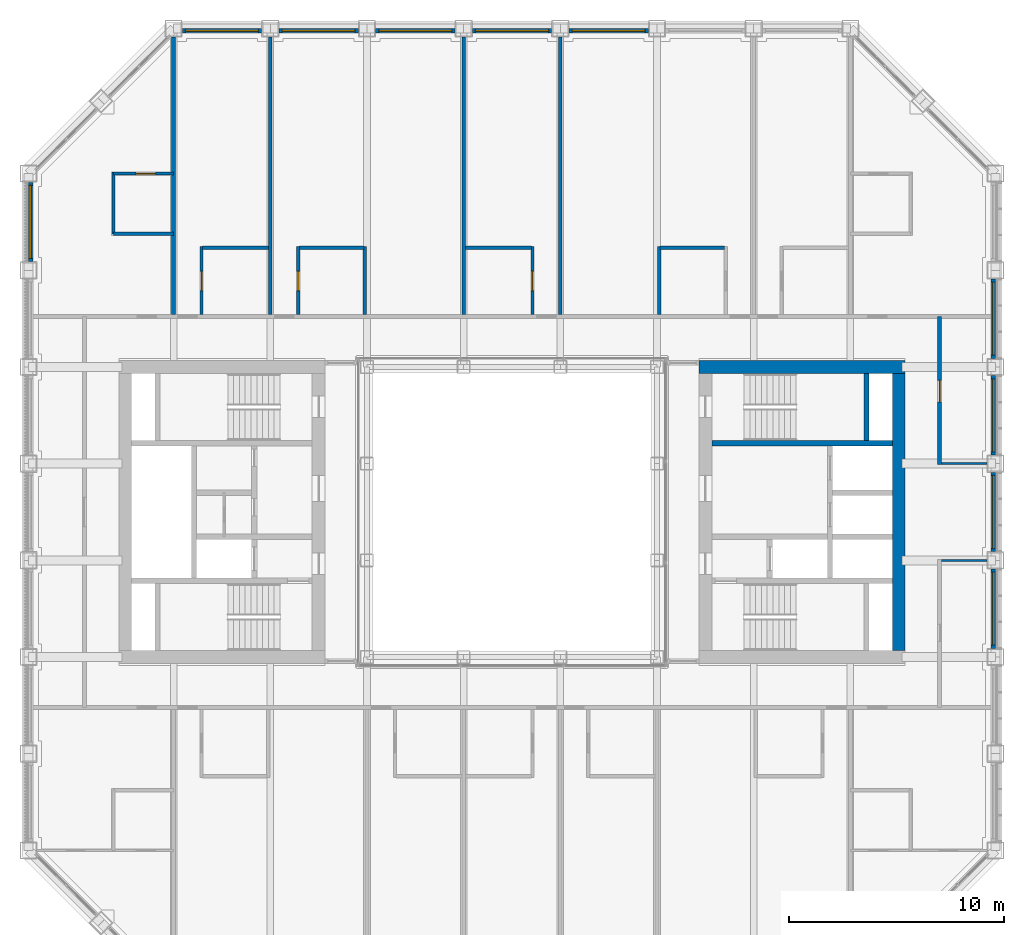
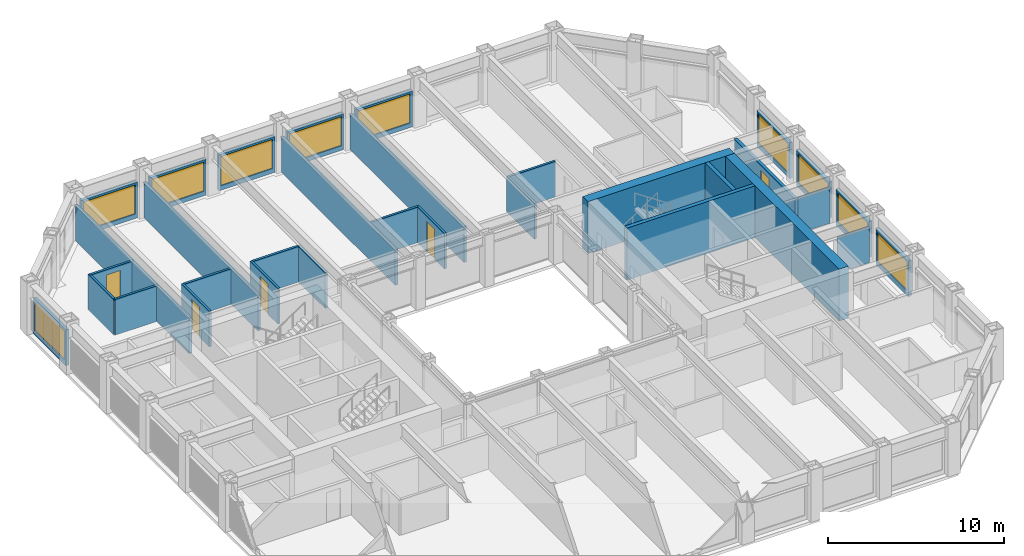
# One storey, part 13 of 17: 33 walls, 10 windows, 5 doors, 15 openings.
"""IFC4 building model written with IfcOpenShell, lengths in metres."""

from ifc_helpers import new_model, si_unit, direction, frame, frame_2d, origin, place, context, subcontext, project, spatial, rectangle, extrude, material, layer, layer_set, type_object, element, fill, save


model = new_model("IFC4")

# Units and contexts
model_context = context("Model", 3, precision=1e-05, world=origin(), true_north=direction((0.0, 1.0)))
body_context = subcontext(model_context, "Body", "Model", "MODEL_VIEW")
ifc_project = project(units=[si_unit("LENGTHUNIT", "METRE"), si_unit("AREAUNIT", "SQUARE_METRE"), si_unit("VOLUMEUNIT", "CUBIC_METRE"), si_unit("PLANEANGLEUNIT", "RADIAN"), si_unit("MASSUNIT", "GRAM", prefix="KILO")], contexts=[model_context])

# Site, building, storey
site_placement = place(None, origin())
site = spatial("IfcSite", under=ifc_project, at=site_placement, CompositionType="ELEMENT")
building_placement = place(site_placement, origin())
building = spatial("IfcBuilding", under=site, at=building_placement, Name="Msasa Ring Tower", CompositionType="ELEMENT")
storey_placement = place(building_placement, frame((0.0, 0.0, 154.39990234375)))
storey = spatial("IfcBuildingStorey", under=building, at=storey_placement, Name="L40", CompositionType="ELEMENT", Elevation=154.39990234375)

# Walls
ifc_material_1 = material(Name="Concrete C60/75", Category="concrete")
ifc_layer_1 = layer(ifc_material_1, 0.60009765625)
ifc_layer_set_1 = layer_set([ifc_layer_1], Name="CW2 CORE WALL 600")
wall_type_1 = type_object("IfcWallType", Name="CW2 CORE WALL 600", PredefinedType="SHEAR", material=ifc_layer_set_1)
wall_1_placement = place(storey_placement, frame((8.699951171875, 6.75, 0.0), z_axis=(0.0, 0.0, 1.0), x_axis=(1.0, 0.0, 0.0)))
element("IfcWall", 1, at=wall_1_placement, inside=storey, type_object=wall_type_1, Name="E core wall N L40", PredefinedType="SHEAR", context=body_context, shape_type="SweptSolid", body=[
    extrude(rectangle(XDim=9.60009765625, YDim=0.60009765625, at=frame_2d((4.800048828125, 0.0))), origin(), (0.0, 0.0, 1.0), 3.60009765625),
])
wall_2_placement = place(storey_placement, frame((18.0, -6.449951171875, 0.0), z_axis=(0.0, 0.0, 1.0), x_axis=(0.0, 1.0, 0.0)))
element("IfcWall", 2, at=wall_2_placement, inside=storey, type_object=wall_type_1, Name="E core wall E L40", PredefinedType="SHEAR", context=body_context, shape_type="SweptSolid", body=[
    extrude(rectangle(XDim=12.89990234375, YDim=0.60009765625, at=frame_2d((6.449951171875, 0.0))), origin(), (0.0, 0.0, 1.0), 3.60009765625),
])
ifc_material_2 = material(Name="Concrete C60/75", Category="concrete")
ifc_layer_2 = layer(ifc_material_2, 0.25)
ifc_layer_set_2 = layer_set([ifc_layer_2], Name="CW4 CORE INNER WALL 250")
wall_type_2 = type_object("IfcWallType", Name="CW4 CORE INNER WALL 250", PredefinedType="SHEAR", material=ifc_layer_set_2)
wall_3_placement = place(storey_placement, frame((9.300048828125, 3.199951171875, 0.0), z_axis=(0.0, 0.0, 1.0), x_axis=(1.0, 0.0, 0.0)))
element("IfcWall", 3, at=wall_3_placement, inside=storey, type_object=wall_type_2, Name="E core wall STAIRB L40", PredefinedType="SHEAR", context=body_context, shape_type="SweptSolid", body=[
    extrude(rectangle(XDim=8.39990234375, YDim=0.25, at=frame_2d((4.199951171875, 0.0))), origin(), (0.0, 0.0, 1.0), 3.60009765625),
])
wall_4_placement = place(storey_placement, frame((16.5, 3.324951171875, 0.0), z_axis=(0.0, 0.0, 1.0), x_axis=(0.0, 1.0, 0.0)))
element("IfcWall", 4, at=wall_4_placement, inside=storey, type_object=wall_type_2, Name="E core wall RISERB L40", PredefinedType="SHEAR", context=body_context, shape_type="SweptSolid", body=[
    extrude(rectangle(XDim=3.125, YDim=0.25, at=frame_2d((1.5625, 0.0))), origin(), (0.0, 0.0, 1.0), 3.60009765625),
])

# Wall, opening, window
ifc_material_3 = material(Name="Terracotta rainscreen on blockwork", Category="masonry")
ifc_layer_3 = layer(ifc_material_3, 0.199951171875)
ifc_layer_set_3 = layer_set([ifc_layer_3], Name="FW1 TERRACOTTA-LINED INFILL BAY WALL 200")
wall_type_3 = type_object("IfcWallType", Name="FW1 TERRACOTTA-LINED INFILL BAY WALL 200", PredefinedType="SOLIDWALL", material=ifc_layer_set_3)
wall_5_placement = place(storey_placement, frame((22.39990234375, -6.344970703125, 0.0), z_axis=(0.0, 0.0, 1.0), x_axis=(0.0, 1.0, 0.0)))
wall_5 = element("IfcWall", 5, at=wall_5_placement, inside=storey, type_object=wall_type_3, Name="Infill bay wall E L40 11", PredefinedType="SOLIDWALL", context=body_context, shape_type="SweptSolid", body=[
    extrude(rectangle(XDim=3.68994140625, YDim=0.199951171875, at=frame_2d((1.844970703125, 0.0))), origin(), (0.0, 0.0, 1.0), 2.47900390625),
])
opening_1_placement = place(wall_5_placement, frame((0.14501953125, 0.0, 0.300048828125)))
opening_1 = element("IfcOpeningElement", 6, at=opening_1_placement, cuts=wall_5, Name="Opening WN2", PredefinedType="OPENING", context=body_context, shape_type="SweptSolid", body=[
    extrude(rectangle(XDim=3.39990234375, YDim=2.029052734375, at=frame_2d((1.699951171875, 1.0146484375))), frame((0.0, 0.10986328125, 0.0), z_axis=(0.0, -1.0, 0.0), x_axis=(1.0, 0.0, 0.0)), (0.0, 0.0, 1.0), 0.219970703125),
])
ifc_material_4 = material(Name="Aluminium frame with clear glass", Category="aluminium")
window_type = type_object("IfcWindowType", Name="WN2 GUEST ROOM WINDOW 3400x2029", PartitioningType="SINGLE_PANEL", PredefinedType="WINDOW", material=ifc_material_4)
window_1_placement = place(opening_1_placement, origin())
window_1 = element("IfcWindow", 7, at=window_1_placement, inside=storey, type_object=window_type, Name="Window E L40 11", OverallHeight=2.029052734375, OverallWidth=3.39990234375, PartitioningType="SINGLE_PANEL", PredefinedType="WINDOW", context=body_context, shape_type="SweptSolid", body=[
    extrude(rectangle(XDim=3.39990234375, YDim=2.029052734375, at=frame_2d((1.699951171875, 1.0146484375))), frame((0.0, 0.030029296875, 0.0), z_axis=(0.0, -1.0, 0.0), x_axis=(1.0, 0.0, 0.0)), (0.0, 0.0, 1.0), 0.06005859375),
])
fill(opening_1, window_1)

wall_6_placement = place(storey_placement, frame((22.39990234375, -1.844970703125, 0.0), z_axis=(0.0, 0.0, 1.0), x_axis=(0.0, 1.0, 0.0)))
wall_6 = element("IfcWall", 8, at=wall_6_placement, inside=storey, type_object=wall_type_3, Name="Infill bay wall E L40 12", PredefinedType="SOLIDWALL", context=body_context, shape_type="SweptSolid", body=[
    extrude(rectangle(XDim=3.68994140625, YDim=0.199951171875, at=frame_2d((1.844970703125, 0.0))), origin(), (0.0, 0.0, 1.0), 2.47900390625),
])
opening_2_placement = place(wall_6_placement, frame((0.14501953125, 0.0, 0.300048828125)))
opening_2 = element("IfcOpeningElement", 9, at=opening_2_placement, cuts=wall_6, Name="Opening WN2", PredefinedType="OPENING", context=body_context, shape_type="SweptSolid", body=[
    extrude(rectangle(XDim=3.39990234375, YDim=2.029052734375, at=frame_2d((1.699951171875, 1.0146484375))), frame((0.0, 0.10986328125, 0.0), z_axis=(0.0, -1.0, 0.0), x_axis=(1.0, 0.0, 0.0)), (0.0, 0.0, 1.0), 0.219970703125),
])
window_2_placement = place(opening_2_placement, origin())
window_2 = element("IfcWindow", 10, at=window_2_placement, inside=storey, type_object=window_type, Name="Window E L40 12", OverallHeight=2.029052734375, OverallWidth=3.39990234375, PartitioningType="SINGLE_PANEL", PredefinedType="WINDOW", context=body_context, shape_type="SweptSolid", body=[
    extrude(rectangle(XDim=3.39990234375, YDim=2.029052734375, at=frame_2d((1.699951171875, 1.0146484375))), frame((0.0, 0.030029296875, 0.0), z_axis=(0.0, -1.0, 0.0), x_axis=(1.0, 0.0, 0.0)), (0.0, 0.0, 1.0), 0.06005859375),
])
fill(opening_2, window_2)

wall_7_placement = place(storey_placement, frame((22.39990234375, 2.655029296875, 0.0), z_axis=(0.0, 0.0, 1.0), x_axis=(0.0, 1.0, 0.0)))
wall_7 = element("IfcWall", 11, at=wall_7_placement, inside=storey, type_object=wall_type_3, Name="Infill bay wall E L40 13", PredefinedType="SOLIDWALL", context=body_context, shape_type="SweptSolid", body=[
    extrude(rectangle(XDim=3.68994140625, YDim=0.199951171875, at=frame_2d((1.844970703125, 0.0))), origin(), (0.0, 0.0, 1.0), 2.47900390625),
])
opening_3_placement = place(wall_7_placement, frame((0.14501953125, 0.0, 0.300048828125)))
opening_3 = element("IfcOpeningElement", 12, at=opening_3_placement, cuts=wall_7, Name="Opening WN2", PredefinedType="OPENING", context=body_context, shape_type="SweptSolid", body=[
    extrude(rectangle(XDim=3.39990234375, YDim=2.029052734375, at=frame_2d((1.699951171875, 1.0146484375))), frame((0.0, 0.10986328125, 0.0), z_axis=(0.0, -1.0, 0.0), x_axis=(1.0, 0.0, 0.0)), (0.0, 0.0, 1.0), 0.219970703125),
])
window_3_placement = place(opening_3_placement, origin())
window_3 = element("IfcWindow", 13, at=window_3_placement, inside=storey, type_object=window_type, Name="Window E L40 13", OverallHeight=2.029052734375, OverallWidth=3.39990234375, PartitioningType="SINGLE_PANEL", PredefinedType="WINDOW", context=body_context, shape_type="SweptSolid", body=[
    extrude(rectangle(XDim=3.39990234375, YDim=2.029052734375, at=frame_2d((1.699951171875, 1.0146484375))), frame((0.0, 0.030029296875, 0.0), z_axis=(0.0, -1.0, 0.0), x_axis=(1.0, 0.0, 0.0)), (0.0, 0.0, 1.0), 0.06005859375),
])
fill(opening_3, window_3)

wall_8_placement = place(storey_placement, frame((22.39990234375, 7.155029296875, 0.0), z_axis=(0.0, 0.0, 1.0), x_axis=(0.0, 1.0, 0.0)))
wall_8 = element("IfcWall", 14, at=wall_8_placement, inside=storey, type_object=wall_type_3, Name="Infill bay wall E L40 14", PredefinedType="SOLIDWALL", context=body_context, shape_type="SweptSolid", body=[
    extrude(rectangle(XDim=3.68994140625, YDim=0.199951171875, at=frame_2d((1.844970703125, 0.0))), origin(), (0.0, 0.0, 1.0), 2.47900390625),
])
opening_4_placement = place(wall_8_placement, frame((0.14501953125, 0.0, 0.300048828125)))
opening_4 = element("IfcOpeningElement", 15, at=opening_4_placement, cuts=wall_8, Name="Opening WN2", PredefinedType="OPENING", context=body_context, shape_type="SweptSolid", body=[
    extrude(rectangle(XDim=3.39990234375, YDim=2.029052734375, at=frame_2d((1.699951171875, 1.0146484375))), frame((0.0, 0.10986328125, 0.0), z_axis=(0.0, -1.0, 0.0), x_axis=(1.0, 0.0, 0.0)), (0.0, 0.0, 1.0), 0.219970703125),
])
window_4_placement = place(opening_4_placement, origin())
window_4 = element("IfcWindow", 16, at=window_4_placement, inside=storey, type_object=window_type, Name="Window E L40 14", OverallHeight=2.029052734375, OverallWidth=3.39990234375, PartitioningType="SINGLE_PANEL", PredefinedType="WINDOW", context=body_context, shape_type="SweptSolid", body=[
    extrude(rectangle(XDim=3.39990234375, YDim=2.029052734375, at=frame_2d((1.699951171875, 1.0146484375))), frame((0.0, 0.030029296875, 0.0), z_axis=(0.0, -1.0, 0.0), x_axis=(1.0, 0.0, 0.0)), (0.0, 0.0, 1.0), 0.06005859375),
])
fill(opening_4, window_4)

wall_9_placement = place(storey_placement, frame((-15.344970703125, 22.39990234375, 0.0), z_axis=(0.0, 0.0, 1.0), x_axis=(1.0, 0.0, 0.0)))
wall_9 = element("IfcWall", 17, at=wall_9_placement, inside=storey, type_object=wall_type_3, Name="Infill bay wall N L40 18", PredefinedType="SOLIDWALL", context=body_context, shape_type="SweptSolid", body=[
    extrude(rectangle(XDim=3.68994140625, YDim=0.199951171875, at=frame_2d((1.844970703125, 0.0))), origin(), (0.0, 0.0, 1.0), 2.47900390625),
])
opening_5_placement = place(wall_9_placement, frame((0.14501953125, 0.0, 0.300048828125)))
opening_5 = element("IfcOpeningElement", 18, at=opening_5_placement, cuts=wall_9, Name="Opening WN2", PredefinedType="OPENING", context=body_context, shape_type="SweptSolid", body=[
    extrude(rectangle(XDim=3.39990234375, YDim=2.029052734375, at=frame_2d((1.699951171875, 1.0146484375))), frame((0.0, 0.10986328125, 0.0), z_axis=(0.0, -1.0, 0.0), x_axis=(1.0, 0.0, 0.0)), (0.0, 0.0, 1.0), 0.219970703125),
])
window_5_placement = place(opening_5_placement, origin())
window_5 = element("IfcWindow", 19, at=window_5_placement, inside=storey, type_object=window_type, Name="Window N L40 18", OverallHeight=2.029052734375, OverallWidth=3.39990234375, PartitioningType="SINGLE_PANEL", PredefinedType="WINDOW", context=body_context, shape_type="SweptSolid", body=[
    extrude(rectangle(XDim=3.39990234375, YDim=2.029052734375, at=frame_2d((1.699951171875, 1.0146484375))), frame((0.0, 0.030029296875, 0.0), z_axis=(0.0, -1.0, 0.0), x_axis=(1.0, 0.0, 0.0)), (0.0, 0.0, 1.0), 0.06005859375),
])
fill(opening_5, window_5)

wall_10_placement = place(storey_placement, frame((-10.844970703125, 22.39990234375, 0.0), z_axis=(0.0, 0.0, 1.0), x_axis=(1.0, 0.0, 0.0)))
wall_10 = element("IfcWall", 20, at=wall_10_placement, inside=storey, type_object=wall_type_3, Name="Infill bay wall N L40 19", PredefinedType="SOLIDWALL", context=body_context, shape_type="SweptSolid", body=[
    extrude(rectangle(XDim=3.68994140625, YDim=0.199951171875, at=frame_2d((1.844970703125, 0.0))), origin(), (0.0, 0.0, 1.0), 2.47900390625),
])
opening_6_placement = place(wall_10_placement, frame((0.14501953125, 0.0, 0.300048828125)))
opening_6 = element("IfcOpeningElement", 21, at=opening_6_placement, cuts=wall_10, Name="Opening WN2", PredefinedType="OPENING", context=body_context, shape_type="SweptSolid", body=[
    extrude(rectangle(XDim=3.39990234375, YDim=2.029052734375, at=frame_2d((1.699951171875, 1.0146484375))), frame((0.0, 0.10986328125, 0.0), z_axis=(0.0, -1.0, 0.0), x_axis=(1.0, 0.0, 0.0)), (0.0, 0.0, 1.0), 0.219970703125),
])
window_6_placement = place(opening_6_placement, origin())
window_6 = element("IfcWindow", 22, at=window_6_placement, inside=storey, type_object=window_type, Name="Window N L40 19", OverallHeight=2.029052734375, OverallWidth=3.39990234375, PartitioningType="SINGLE_PANEL", PredefinedType="WINDOW", context=body_context, shape_type="SweptSolid", body=[
    extrude(rectangle(XDim=3.39990234375, YDim=2.029052734375, at=frame_2d((1.699951171875, 1.0146484375))), frame((0.0, 0.030029296875, 0.0), z_axis=(0.0, -1.0, 0.0), x_axis=(1.0, 0.0, 0.0)), (0.0, 0.0, 1.0), 0.06005859375),
])
fill(opening_6, window_6)

wall_11_placement = place(storey_placement, frame((-6.344970703125, 22.39990234375, 0.0), z_axis=(0.0, 0.0, 1.0), x_axis=(1.0, 0.0, 0.0)))
wall_11 = element("IfcWall", 23, at=wall_11_placement, inside=storey, type_object=wall_type_3, Name="Infill bay wall N L40 20", PredefinedType="SOLIDWALL", context=body_context, shape_type="SweptSolid", body=[
    extrude(rectangle(XDim=3.68994140625, YDim=0.199951171875, at=frame_2d((1.844970703125, 0.0))), origin(), (0.0, 0.0, 1.0), 2.47900390625),
])
opening_7_placement = place(wall_11_placement, frame((0.14501953125, 0.0, 0.300048828125)))
opening_7 = element("IfcOpeningElement", 24, at=opening_7_placement, cuts=wall_11, Name="Opening WN2", PredefinedType="OPENING", context=body_context, shape_type="SweptSolid", body=[
    extrude(rectangle(XDim=3.39990234375, YDim=2.029052734375, at=frame_2d((1.699951171875, 1.0146484375))), frame((0.0, 0.10986328125, 0.0), z_axis=(0.0, -1.0, 0.0), x_axis=(1.0, 0.0, 0.0)), (0.0, 0.0, 1.0), 0.219970703125),
])
window_7_placement = place(opening_7_placement, origin())
window_7 = element("IfcWindow", 25, at=window_7_placement, inside=storey, type_object=window_type, Name="Window N L40 20", OverallHeight=2.029052734375, OverallWidth=3.39990234375, PartitioningType="SINGLE_PANEL", PredefinedType="WINDOW", context=body_context, shape_type="SweptSolid", body=[
    extrude(rectangle(XDim=3.39990234375, YDim=2.029052734375, at=frame_2d((1.699951171875, 1.0146484375))), frame((0.0, 0.030029296875, 0.0), z_axis=(0.0, -1.0, 0.0), x_axis=(1.0, 0.0, 0.0)), (0.0, 0.0, 1.0), 0.06005859375),
])
fill(opening_7, window_7)

wall_12_placement = place(storey_placement, frame((-1.844970703125, 22.39990234375, 0.0), z_axis=(0.0, 0.0, 1.0), x_axis=(1.0, 0.0, 0.0)))
wall_12 = element("IfcWall", 26, at=wall_12_placement, inside=storey, type_object=wall_type_3, Name="Infill bay wall N L40 21", PredefinedType="SOLIDWALL", context=body_context, shape_type="SweptSolid", body=[
    extrude(rectangle(XDim=3.68994140625, YDim=0.199951171875, at=frame_2d((1.844970703125, 0.0))), origin(), (0.0, 0.0, 1.0), 2.47900390625),
])
opening_8_placement = place(wall_12_placement, frame((0.14501953125, 0.0, 0.300048828125)))
opening_8 = element("IfcOpeningElement", 27, at=opening_8_placement, cuts=wall_12, Name="Opening WN2", PredefinedType="OPENING", context=body_context, shape_type="SweptSolid", body=[
    extrude(rectangle(XDim=3.39990234375, YDim=2.029052734375, at=frame_2d((1.699951171875, 1.0146484375))), frame((0.0, 0.10986328125, 0.0), z_axis=(0.0, -1.0, 0.0), x_axis=(1.0, 0.0, 0.0)), (0.0, 0.0, 1.0), 0.219970703125),
])
window_8_placement = place(opening_8_placement, origin())
window_8 = element("IfcWindow", 28, at=window_8_placement, inside=storey, type_object=window_type, Name="Window N L40 21", OverallHeight=2.029052734375, OverallWidth=3.39990234375, PartitioningType="SINGLE_PANEL", PredefinedType="WINDOW", context=body_context, shape_type="SweptSolid", body=[
    extrude(rectangle(XDim=3.39990234375, YDim=2.029052734375, at=frame_2d((1.699951171875, 1.0146484375))), frame((0.0, 0.030029296875, 0.0), z_axis=(0.0, -1.0, 0.0), x_axis=(1.0, 0.0, 0.0)), (0.0, 0.0, 1.0), 0.06005859375),
])
fill(opening_8, window_8)

wall_13_placement = place(storey_placement, frame((2.655029296875, 22.39990234375, 0.0), z_axis=(0.0, 0.0, 1.0), x_axis=(1.0, 0.0, 0.0)))
wall_13 = element("IfcWall", 29, at=wall_13_placement, inside=storey, type_object=wall_type_3, Name="Infill bay wall N L40 22", PredefinedType="SOLIDWALL", context=body_context, shape_type="SweptSolid", body=[
    extrude(rectangle(XDim=3.68994140625, YDim=0.199951171875, at=frame_2d((1.844970703125, 0.0))), origin(), (0.0, 0.0, 1.0), 2.47900390625),
])
opening_9_placement = place(wall_13_placement, frame((0.14501953125, 0.0, 0.300048828125)))
opening_9 = element("IfcOpeningElement", 30, at=opening_9_placement, cuts=wall_13, Name="Opening WN2", PredefinedType="OPENING", context=body_context, shape_type="SweptSolid", body=[
    extrude(rectangle(XDim=3.39990234375, YDim=2.029052734375, at=frame_2d((1.699951171875, 1.0146484375))), frame((0.0, 0.10986328125, 0.0), z_axis=(0.0, -1.0, 0.0), x_axis=(1.0, 0.0, 0.0)), (0.0, 0.0, 1.0), 0.219970703125),
])
window_9_placement = place(opening_9_placement, origin())
window_9 = element("IfcWindow", 31, at=window_9_placement, inside=storey, type_object=window_type, Name="Window N L40 22", OverallHeight=2.029052734375, OverallWidth=3.39990234375, PartitioningType="SINGLE_PANEL", PredefinedType="WINDOW", context=body_context, shape_type="SweptSolid", body=[
    extrude(rectangle(XDim=3.39990234375, YDim=2.029052734375, at=frame_2d((1.699951171875, 1.0146484375))), frame((0.0, 0.030029296875, 0.0), z_axis=(0.0, -1.0, 0.0), x_axis=(1.0, 0.0, 0.0)), (0.0, 0.0, 1.0), 0.06005859375),
])
fill(opening_9, window_9)

wall_14_placement = place(storey_placement, frame((-22.39990234375, 11.655029296875, 0.0), z_axis=(0.0, 0.0, 1.0), x_axis=(0.0, 1.0, 0.0)))
wall_14 = element("IfcWall", 32, at=wall_14_placement, inside=storey, type_object=wall_type_3, Name="Infill bay wall W L40 33", PredefinedType="SOLIDWALL", context=body_context, shape_type="SweptSolid", body=[
    extrude(rectangle(XDim=3.68994140625, YDim=0.199951171875, at=frame_2d((1.844970703125, 0.0))), origin(), (0.0, 0.0, 1.0), 2.47900390625),
])
opening_10_placement = place(wall_14_placement, frame((0.14501953125, 0.0, 0.300048828125)))
opening_10 = element("IfcOpeningElement", 33, at=opening_10_placement, cuts=wall_14, Name="Opening WN2", PredefinedType="OPENING", context=body_context, shape_type="SweptSolid", body=[
    extrude(rectangle(XDim=3.39990234375, YDim=2.029052734375, at=frame_2d((1.699951171875, 1.0146484375))), frame((0.0, 0.10986328125, 0.0), z_axis=(0.0, -1.0, 0.0), x_axis=(1.0, 0.0, 0.0)), (0.0, 0.0, 1.0), 0.219970703125),
])
window_10_placement = place(opening_10_placement, origin())
window_10 = element("IfcWindow", 34, at=window_10_placement, inside=storey, type_object=window_type, Name="Window W L40 33", OverallHeight=2.029052734375, OverallWidth=3.39990234375, PartitioningType="SINGLE_PANEL", PredefinedType="WINDOW", context=body_context, shape_type="SweptSolid", body=[
    extrude(rectangle(XDim=3.39990234375, YDim=2.029052734375, at=frame_2d((1.699951171875, 1.0146484375))), frame((0.0, 0.030029296875, 0.0), z_axis=(0.0, -1.0, 0.0), x_axis=(1.0, 0.0, 0.0)), (0.0, 0.0, 1.0), 0.06005859375),
])
fill(opening_10, window_10)

# Wall, opening, door
ifc_material_5 = material(Name="Concrete blockwork", Category="masonry")
ifc_layer_4 = layer(ifc_material_5, 0.199951171875)
ifc_layer_set_4 = layer_set([ifc_layer_4], Name="PT1 CORRIDOR WALL 200")
wall_type_4 = type_object("IfcWallType", Name="PT1 CORRIDOR WALL 200", PredefinedType="PARTITIONING", material=ifc_layer_set_4)
wall_15_placement = place(storey_placement, frame((19.89990234375, 2.199951171875, 0.0), z_axis=(0.0, 0.0, 1.0), x_axis=(0.0, 1.0, 0.0)))
wall_15 = element("IfcWall", 35, at=wall_15_placement, inside=storey, type_object=wall_type_4, Name="Corridor wall L40-STREN", PredefinedType="PARTITIONING", context=body_context, shape_type="SweptSolid", body=[
    extrude(rectangle(XDim=6.900146484375, YDim=0.199951171875, at=frame_2d((3.4501953125, 0.0))), origin(), (0.0, 0.0, 1.0), 2.473388671875),
])
opening_11_placement = place(wall_15_placement, frame((2.925048828125, 0.0, 0.0)))
opening_11 = element("IfcOpeningElement", 36, at=opening_11_placement, cuts=wall_15, Name="Opening HD-017", PredefinedType="OPENING", context=body_context, shape_type="SweptSolid", body=[
    extrude(rectangle(XDim=1.0, YDim=2.10009765625, at=frame_2d((0.5, 1.050048828125))), frame((0.0, 0.10986328125, 0.0), z_axis=(0.0, -1.0, 0.0), x_axis=(1.0, 0.0, 0.0)), (0.0, 0.0, 1.0), 0.219970703125),
])
ifc_material_6 = material(Name="Timber door leaf in a steel frame", Category="steel")
door_type_1 = type_object("IfcDoorType", Name="D10 STORE DOOR 1000x2100", OperationType="SINGLE_SWING_LEFT", PredefinedType="DOOR", material=ifc_material_6)
door_1_placement = place(opening_11_placement, origin())
door_1 = element("IfcDoor", 37, at=door_1_placement, inside=storey, type_object=door_type_1, Name="Door L40-LGE", OperationType="SINGLE_SWING_LEFT", OverallHeight=2.10009765625, OverallWidth=1.0, PredefinedType="DOOR", context=body_context, shape_type="SweptSolid", body=[
    extrude(rectangle(XDim=1.0, YDim=2.10009765625, at=frame_2d((0.5, 1.050048828125))), frame((0.0, 0.02490234375, 0.0), z_axis=(0.0, -1.0, 0.0), x_axis=(1.0, 0.0, 0.0)), (0.0, 0.0, 1.0), 0.050048828125),
])
fill(opening_11, door_1)

# Walls
ifc_material_7 = material(Name="Gypsum board on steel studs", Category="steel")
ifc_layer_5 = layer(ifc_material_7, 0.10009765625)
ifc_layer_set_5 = layer_set([ifc_layer_5], Name="PT2 STUD PARTITION 100")
wall_type_5 = type_object("IfcWallType", Name="PT2 STUD PARTITION 100", PredefinedType="PARTITIONING", material=ifc_layer_set_5)
for number, where, z_axis, x_axis, name in (
    (38, (20.0, 2.25, 0.0), (0.0, 0.0, 1.0), (1.0, 0.0, 0.0), "Partition L40-ALEN"),
    (39, (20.0, -2.25, 0.0), (0.0, 0.0, 1.0), (1.0, 0.0, 0.0), "Partition L40-ALES"),
):
    element("IfcWall", number, at=place(storey_placement, frame(where, z_axis=z_axis, x_axis=x_axis)), inside=storey, type_object=wall_type_5, Name=name, PredefinedType="PARTITIONING", context=body_context, shape_type="SweptSolid", body=[
        extrude(rectangle(XDim=2.10009765625, YDim=0.10009765625, at=frame_2d((1.050048828125, 0.0))), origin(), (0.0, 0.0, 1.0), 2.473388671875),
    ])

# Wall, opening, door
ifc_material_8 = material(Name="Moisture-resistant board on steel studs with a concealed cistern and pipe void, tiled", Category="steel")
ifc_layer_6 = layer(ifc_material_8, 0.14990234375)
ifc_layer_set_6 = layer_set([ifc_layer_6], Name="PT4 BATHROOM WET WALL 150")
wall_type_6 = type_object("IfcWallType", Name="PT4 BATHROOM WET WALL 150", PredefinedType="PARTITIONING", material=ifc_layer_set_6)
wall_16_placement = place(storey_placement, frame((-14.449951171875, 9.199951171875, 0.0), z_axis=(0.0, 0.0, 1.0), x_axis=(0.0, 1.0, 0.0)))
wall_16 = element("IfcWall", 40, at=wall_16_placement, inside=storey, type_object=wall_type_6, Name="Partition L40-GN00BX", PredefinedType="PARTITIONING", context=body_context, shape_type="SweptSolid", body=[
    extrude(rectangle(XDim=3.150146484375, YDim=0.14990234375, at=frame_2d((1.5751953125, 0.0))), origin(), (0.0, 0.0, 1.0), 2.473388671875),
])
opening_12_placement = place(wall_16_placement, frame((1.10009765625, 0.0, 0.0)))
opening_12 = element("IfcOpeningElement", 41, at=opening_12_placement, cuts=wall_16, Name="Opening HD-003", PredefinedType="OPENING", context=body_context, shape_type="SweptSolid", body=[
    extrude(rectangle(XDim=0.89990234375, YDim=2.10009765625, at=frame_2d((0.449951171875, 1.050048828125))), frame((0.0, 0.0849609375, 0.0), z_axis=(0.0, -1.0, 0.0), x_axis=(1.0, 0.0, 0.0)), (0.0, 0.0, 1.0), 0.169921875),
])
ifc_material_9 = material(Name="Timber door leaf in a steel frame", Category="steel")
door_type_2 = type_object("IfcDoorType", Name="D3 BATHROOM DOOR 900x2100", OperationType="SINGLE_SWING_LEFT", PredefinedType="DOOR", material=ifc_material_9)
door_2_placement = place(opening_12_placement, origin())
door_2 = element("IfcDoor", 42, at=door_2_placement, inside=storey, type_object=door_type_2, Name="Door L40-GN00B", OperationType="SINGLE_SWING_LEFT", OverallHeight=2.10009765625, OverallWidth=0.89990234375, PredefinedType="DOOR", context=body_context, shape_type="SweptSolid", body=[
    extrude(rectangle(XDim=0.89990234375, YDim=2.10009765625, at=frame_2d((0.449951171875, 1.050048828125))), frame((0.0, 0.02490234375, 0.0), z_axis=(0.0, -1.0, 0.0), x_axis=(1.0, 0.0, 0.0)), (0.0, 0.0, 1.0), 0.050048828125),
])
fill(opening_12, door_2)

# Wall
wall_17_placement = place(storey_placement, frame((-14.39990234375, 12.300048828125, 0.0), z_axis=(0.0, 0.0, 1.0), x_axis=(1.0, 0.0, 0.0)))
element("IfcWall", 43, at=wall_17_placement, inside=storey, type_object=wall_type_6, Name="Partition L40-GN00BY", PredefinedType="PARTITIONING", context=body_context, shape_type="SweptSolid", body=[
    extrude(rectangle(XDim=3.0625, YDim=0.14990234375, at=frame_2d((1.53125, 0.0))), origin(), (0.0, 0.0, 1.0), 2.473388671875),
])

# Wall, opening, door
wall_18_placement = place(storey_placement, frame((-9.949951171875, 9.199951171875, 0.0), z_axis=(0.0, 0.0, 1.0), x_axis=(0.0, 1.0, 0.0)))
wall_18 = element("IfcWall", 44, at=wall_18_placement, inside=storey, type_object=wall_type_6, Name="Partition L40-GN01BX", PredefinedType="PARTITIONING", context=body_context, shape_type="SweptSolid", body=[
    extrude(rectangle(XDim=3.150146484375, YDim=0.14990234375, at=frame_2d((1.5751953125, 0.0))), origin(), (0.0, 0.0, 1.0), 2.473388671875),
])
opening_13_placement = place(wall_18_placement, frame((1.10009765625, 0.0, 0.0)))
opening_13 = element("IfcOpeningElement", 45, at=opening_13_placement, cuts=wall_18, Name="Opening HD-004", PredefinedType="OPENING", context=body_context, shape_type="SweptSolid", body=[
    extrude(rectangle(XDim=0.89990234375, YDim=2.10009765625, at=frame_2d((0.449951171875, 1.050048828125))), frame((0.0, 0.0849609375, 0.0), z_axis=(0.0, -1.0, 0.0), x_axis=(1.0, 0.0, 0.0)), (0.0, 0.0, 1.0), 0.169921875),
])
door_3_placement = place(opening_13_placement, origin())
door_3 = element("IfcDoor", 46, at=door_3_placement, inside=storey, type_object=door_type_2, Name="Door L40-GN01B", OperationType="SINGLE_SWING_LEFT", OverallHeight=2.10009765625, OverallWidth=0.89990234375, PredefinedType="DOOR", context=body_context, shape_type="SweptSolid", body=[
    extrude(rectangle(XDim=0.89990234375, YDim=2.10009765625, at=frame_2d((0.449951171875, 1.050048828125))), frame((0.0, 0.02490234375, 0.0), z_axis=(0.0, -1.0, 0.0), x_axis=(1.0, 0.0, 0.0)), (0.0, 0.0, 1.0), 0.050048828125),
])
fill(opening_13, door_3)

# Walls
wall_19_placement = place(storey_placement, frame((-6.85009765625, 9.199951171875, 0.0), z_axis=(0.0, 0.0, 1.0), x_axis=(0.0, 1.0, 0.0)))
element("IfcWall", 47, at=wall_19_placement, inside=storey, type_object=wall_type_6, Name="Partition L40-GN01BF", PredefinedType="PARTITIONING", context=body_context, shape_type="SweptSolid", body=[
    extrude(rectangle(XDim=3.150146484375, YDim=0.14990234375, at=frame_2d((1.5751953125, 0.0))), origin(), (0.0, 0.0, 1.0), 2.473388671875),
])
wall_20_placement = place(storey_placement, frame((-9.89990234375, 12.300048828125, 0.0), z_axis=(0.0, 0.0, 1.0), x_axis=(1.0, 0.0, 0.0)))
element("IfcWall", 48, at=wall_20_placement, inside=storey, type_object=wall_type_6, Name="Partition L40-GN01BY", PredefinedType="PARTITIONING", context=body_context, shape_type="SweptSolid", body=[
    extrude(rectangle(XDim=3.0, YDim=0.14990234375, at=frame_2d((1.5, 0.0))), origin(), (0.0, 0.0, 1.0), 2.473388671875),
])

# Wall, opening, door
wall_21_placement = place(storey_placement, frame((0.949951171875, 9.199951171875, 0.0), z_axis=(0.0, 0.0, 1.0), x_axis=(0.0, 1.0, 0.0)))
wall_21 = element("IfcWall", 49, at=wall_21_placement, inside=storey, type_object=wall_type_6, Name="Partition L40-GN02BX", PredefinedType="PARTITIONING", context=body_context, shape_type="SweptSolid", body=[
    extrude(rectangle(XDim=3.150146484375, YDim=0.14990234375, at=frame_2d((1.5751953125, 0.0))), origin(), (0.0, 0.0, 1.0), 2.473388671875),
])
opening_14_placement = place(wall_21_placement, frame((1.10009765625, 0.0, 0.0)))
opening_14 = element("IfcOpeningElement", 50, at=opening_14_placement, cuts=wall_21, Name="Opening HD-005", PredefinedType="OPENING", context=body_context, shape_type="SweptSolid", body=[
    extrude(rectangle(XDim=0.89990234375, YDim=2.10009765625, at=frame_2d((0.449951171875, 1.050048828125))), frame((0.0, 0.0849609375, 0.0), z_axis=(0.0, -1.0, 0.0), x_axis=(1.0, 0.0, 0.0)), (0.0, 0.0, 1.0), 0.169921875),
])
door_4_placement = place(opening_14_placement, origin())
door_4 = element("IfcDoor", 51, at=door_4_placement, inside=storey, type_object=door_type_2, Name="Door L40-GN02B", OperationType="SINGLE_SWING_LEFT", OverallHeight=2.10009765625, OverallWidth=0.89990234375, PredefinedType="DOOR", context=body_context, shape_type="SweptSolid", body=[
    extrude(rectangle(XDim=0.89990234375, YDim=2.10009765625, at=frame_2d((0.449951171875, 1.050048828125))), frame((0.0, 0.02490234375, 0.0), z_axis=(0.0, -1.0, 0.0), x_axis=(1.0, 0.0, 0.0)), (0.0, 0.0, 1.0), 0.050048828125),
])
fill(opening_14, door_4)

# Walls
wall_22_placement = place(storey_placement, frame((-2.16259765625, 12.300048828125, 0.0), z_axis=(0.0, 0.0, 1.0), x_axis=(1.0, 0.0, 0.0)))
element("IfcWall", 52, at=wall_22_placement, inside=storey, type_object=wall_type_6, Name="Partition L40-GN02BY", PredefinedType="PARTITIONING", context=body_context, shape_type="SweptSolid", body=[
    extrude(rectangle(XDim=3.0625, YDim=0.14990234375, at=frame_2d((1.53125, 0.0))), origin(), (0.0, 0.0, 1.0), 2.473388671875),
])
wall_23_placement = place(storey_placement, frame((6.85009765625, 9.199951171875, 0.0), z_axis=(0.0, 0.0, 1.0), x_axis=(0.0, 1.0, 0.0)))
element("IfcWall", 53, at=wall_23_placement, inside=storey, type_object=wall_type_6, Name="Partition L40-GN03BF", PredefinedType="PARTITIONING", context=body_context, shape_type="SweptSolid", body=[
    extrude(rectangle(XDim=3.150146484375, YDim=0.14990234375, at=frame_2d((1.5751953125, 0.0))), origin(), (0.0, 0.0, 1.0), 2.473388671875),
])
wall_24_placement = place(storey_placement, frame((6.89990234375, 12.300048828125, 0.0), z_axis=(0.0, 0.0, 1.0), x_axis=(1.0, 0.0, 0.0)))
element("IfcWall", 54, at=wall_24_placement, inside=storey, type_object=wall_type_6, Name="Partition L40-GN03BY", PredefinedType="PARTITIONING", context=body_context, shape_type="SweptSolid", body=[
    extrude(rectangle(XDim=3.0, YDim=0.14990234375, at=frame_2d((1.5, 0.0))), origin(), (0.0, 0.0, 1.0), 2.473388671875),
])
wall_25_placement = place(storey_placement, frame((-18.550048828125, 12.949951171875, 0.0), z_axis=(0.0, 0.0, 1.0), x_axis=(0.0, 1.0, 0.0)))
element("IfcWall", 55, at=wall_25_placement, inside=storey, type_object=wall_type_6, Name="Partition L40-CSNWBX", PredefinedType="PARTITIONING", context=body_context, shape_type="SweptSolid", body=[
    extrude(rectangle(XDim=2.875, YDim=0.14990234375, at=frame_2d((1.4375, 0.0))), origin(), (0.0, 0.0, 1.0), 2.473388671875),
])
wall_26_placement = place(storey_placement, frame((-18.550048828125, 12.949951171875, 0.0), z_axis=(0.0, 0.0, 1.0), x_axis=(1.0, 0.0, 0.0)))
element("IfcWall", 56, at=wall_26_placement, inside=storey, type_object=wall_type_6, Name="Partition L40-CSNWBY", PredefinedType="PARTITIONING", context=body_context, shape_type="SweptSolid", body=[
    extrude(rectangle(XDim=2.800048828125, YDim=0.14990234375, at=frame_2d((1.39990234375, 0.0))), origin(), (0.0, 0.0, 1.0), 2.473388671875),
])

# Wall, opening, door
wall_27_placement = place(storey_placement, frame((-18.550048828125, 15.75, 0.0), z_axis=(0.0, 0.0, 1.0), x_axis=(1.0, 0.0, 0.0)))
wall_27 = element("IfcWall", 57, at=wall_27_placement, inside=storey, type_object=wall_type_6, Name="Partition L40-CSNWBZ", PredefinedType="PARTITIONING", context=body_context, shape_type="SweptSolid", body=[
    extrude(rectangle(XDim=2.800048828125, YDim=0.14990234375, at=frame_2d((1.39990234375, 0.0))), origin(), (0.0, 0.0, 1.0), 2.473388671875),
])
opening_15_placement = place(wall_27_placement, frame((1.050048828125, 0.0, 0.0)))
opening_15 = element("IfcOpeningElement", 58, at=opening_15_placement, cuts=wall_27, Name="Opening HD-001", PredefinedType="OPENING", context=body_context, shape_type="SweptSolid", body=[
    extrude(rectangle(XDim=0.89990234375, YDim=2.10009765625, at=frame_2d((0.449951171875, 1.050048828125))), frame((0.0, 0.0849609375, 0.0), z_axis=(0.0, -1.0, 0.0), x_axis=(1.0, 0.0, 0.0)), (0.0, 0.0, 1.0), 0.169921875),
])
door_5_placement = place(opening_15_placement, origin())
door_5 = element("IfcDoor", 59, at=door_5_placement, inside=storey, type_object=door_type_2, Name="Door L40-CSNWB1", OperationType="SINGLE_SWING_RIGHT", OverallHeight=2.10009765625, OverallWidth=0.89990234375, PredefinedType="DOOR", context=body_context, shape_type="SweptSolid", body=[
    extrude(rectangle(XDim=0.89990234375, YDim=2.10009765625, at=frame_2d((0.449951171875, 1.050048828125))), frame((0.0, 0.02490234375, 0.0), z_axis=(0.0, -1.0, 0.0), x_axis=(1.0, 0.0, 0.0)), (0.0, 0.0, 1.0), 0.050048828125),
])
fill(opening_15, door_5)

# Walls
ifc_material_10 = material(Name="Twin steel studs, two layers of acoustic board each face, mineral wool", Category="steel")
ifc_layer_7 = layer(ifc_material_10, 0.175048828125)
ifc_layer_set_7 = layer_set([ifc_layer_7], Name="PT5 GUEST ROOM SEPARATING WALL 175")
wall_type_7 = type_object("IfcWallType", Name="PT5 GUEST ROOM SEPARATING WALL 175", PredefinedType="PARTITIONING", material=ifc_layer_set_7)
for number, where, z_axis, x_axis, name in (
    (60, (-15.75, 9.199951171875, 0.0), (0.0, 0.0, 1.0), (0.0, 1.0, 0.0), "Partition L40-PWN-15.75"),
    (61, (-11.25, 9.199951171875, 0.0), (0.0, 0.0, 1.0), (0.0, 1.0, 0.0), "Partition L40-PWN-11.25"),
    (62, (-2.25, 9.199951171875, 0.0), (0.0, 0.0, 1.0), (0.0, 1.0, 0.0), "Partition L40-PWN-2.25"),
    (63, (2.25, 9.199951171875, 0.0), (0.0, 0.0, 1.0), (0.0, 1.0, 0.0), "Partition L40-PWN+2.25"),
):
    element("IfcWall", number, at=place(storey_placement, frame(where, z_axis=z_axis, x_axis=x_axis)), inside=storey, type_object=wall_type_7, Name=name, PredefinedType="PARTITIONING", context=body_context, shape_type="SweptSolid", body=[
        extrude(rectangle(XDim=12.900146484375, YDim=0.175048828125, at=frame_2d((6.4501953125, 0.0))), origin(), (0.0, 0.0, 1.0), 2.473388671875),
    ])

save(model, "model.ifc")
